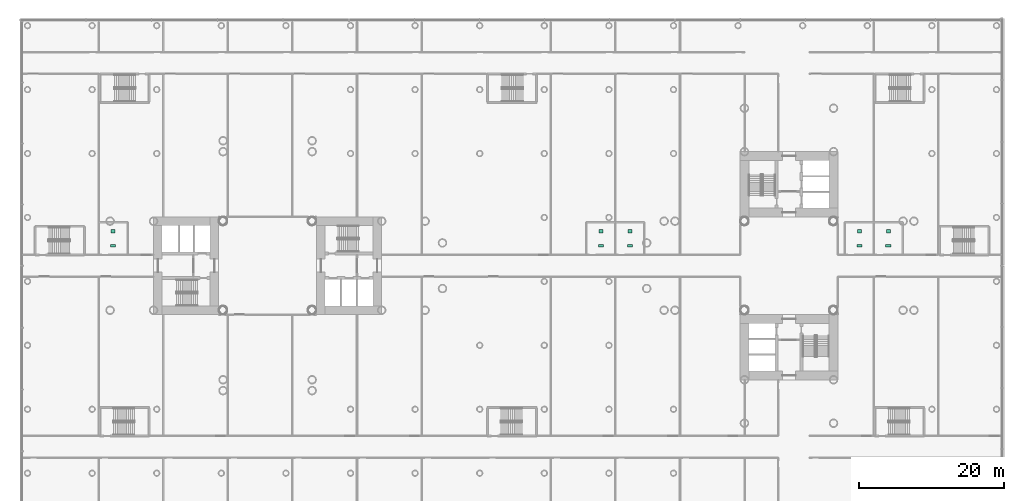
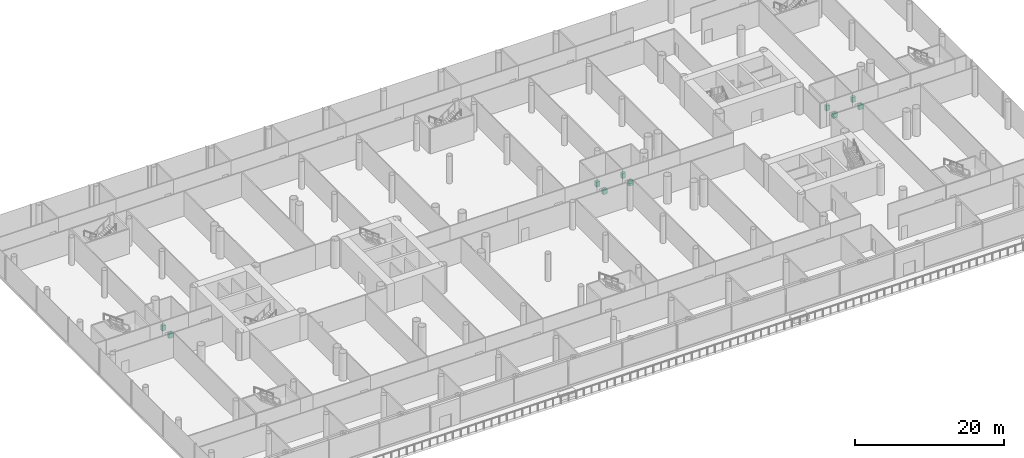
# One storey, part 51 of 51: 10 sanitary terminals.
"""IFC4 building model written with IfcOpenShell, lengths in metres."""

from ifc_helpers import new_model, si_unit, direction, frame, origin, origin_2d, place, context, subcontext, project, spatial, rectangle, extrude, material, type_object, element, save


model = new_model("IFC4")

# Units and contexts
model_context = context("Model", 3, precision=1e-05, world=origin(), true_north=direction((0.0, 1.0)))
body_context = subcontext(model_context, "Body", "Model", "MODEL_VIEW")
ifc_project = project(units=[si_unit("LENGTHUNIT", "METRE"), si_unit("AREAUNIT", "SQUARE_METRE"), si_unit("VOLUMEUNIT", "CUBIC_METRE"), si_unit("PLANEANGLEUNIT", "RADIAN"), si_unit("MASSUNIT", "GRAM", prefix="KILO")], contexts=[model_context])

# Site, building, storey
site_placement = place(None, origin())
site = spatial("IfcSite", under=ifc_project, at=site_placement, CompositionType="ELEMENT")
building_placement = place(site_placement, origin())
building = spatial("IfcBuilding", under=site, at=building_placement, Name="Ipe Terrace Towers", CompositionType="ELEMENT")
storey_placement = place(building_placement, frame((0.0, 0.0, 15.5)))
storey = spatial("IfcBuildingStorey", under=building, at=storey_placement, Name="L03", CompositionType="ELEMENT", Elevation=15.5)

# Sanitary terminals
ifc_material_1 = material(Name="Vitreous china", Category="ceramic")
sanitary_terminal_type_1 = type_object("IfcSanitaryTerminalType", Name="Wash basin", PredefinedType="WASHHANDBASIN", material=ifc_material_1)
for number, where, z_axis, x_axis, name in (
    (1, (-57.330078125, 4.75, 0.0), (0.0, 0.0, 1.0), (1.0, 0.0, 0.0), "Wash basin"),
    (2, (10.030029296875, 4.75, 0.0), (0.0, 0.0, 1.0), (1.0, 0.0, 0.0), "Wash basin"),
    (3, (14.030029296875, 4.75, 0.0), (0.0, 0.0, 1.0), (1.0, 0.0, 0.0), "Wash basin"),
    (4, (45.7099609375, 4.75, 0.0), (0.0, 0.0, 1.0), (1.0, 0.0, 0.0), "Wash basin"),
    (5, (49.7099609375, 4.75, 0.0), (0.0, 0.0, 1.0), (1.0, 0.0, 0.0), "Wash basin"),
):
    element("IfcSanitaryTerminal", number, at=place(storey_placement, frame(where, z_axis=z_axis, x_axis=x_axis)), inside=storey, type_object=sanitary_terminal_type_1, Name=name, PredefinedType="WASHHANDBASIN", context=body_context, shape_type="SweptSolid", body=[
        extrude(rectangle(XDim=0.550048828125, YDim=0.449951171875, at=origin_2d()), origin(), (0.0, 0.0, 1.0), 0.85009765625),
    ])
ifc_material_2 = material(Name="Vitreous china", Category="ceramic")
sanitary_terminal_type_2 = type_object("IfcSanitaryTerminalType", Name="Water closet", PredefinedType="TOILETPAN", material=ifc_material_2)
for number, where, z_axis, x_axis, name in (
    (6, (-57.330078125, 2.75, 0.0), (0.0, 0.0, 1.0), (1.0, 0.0, 0.0), "Water closet"),
    (7, (10.030029296875, 2.75, 0.0), (0.0, 0.0, 1.0), (1.0, 0.0, 0.0), "Water closet"),
    (8, (14.030029296875, 2.75, 0.0), (0.0, 0.0, 1.0), (1.0, 0.0, 0.0), "Water closet"),
    (9, (45.7099609375, 2.75, 0.0), (0.0, 0.0, 1.0), (1.0, 0.0, 0.0), "Water closet"),
    (10, (49.7099609375, 2.75, 0.0), (0.0, 0.0, 1.0), (1.0, 0.0, 0.0), "Water closet"),
):
    element("IfcSanitaryTerminal", number, at=place(storey_placement, frame(where, z_axis=z_axis, x_axis=x_axis)), inside=storey, type_object=sanitary_terminal_type_2, Name=name, PredefinedType="TOILETPAN", context=body_context, shape_type="SweptSolid", body=[
        extrude(rectangle(XDim=0.699951171875, YDim=0.39990234375, at=origin_2d()), origin(), (0.0, 0.0, 1.0), 0.780029296875),
    ])

save(model, "model.ifc")
